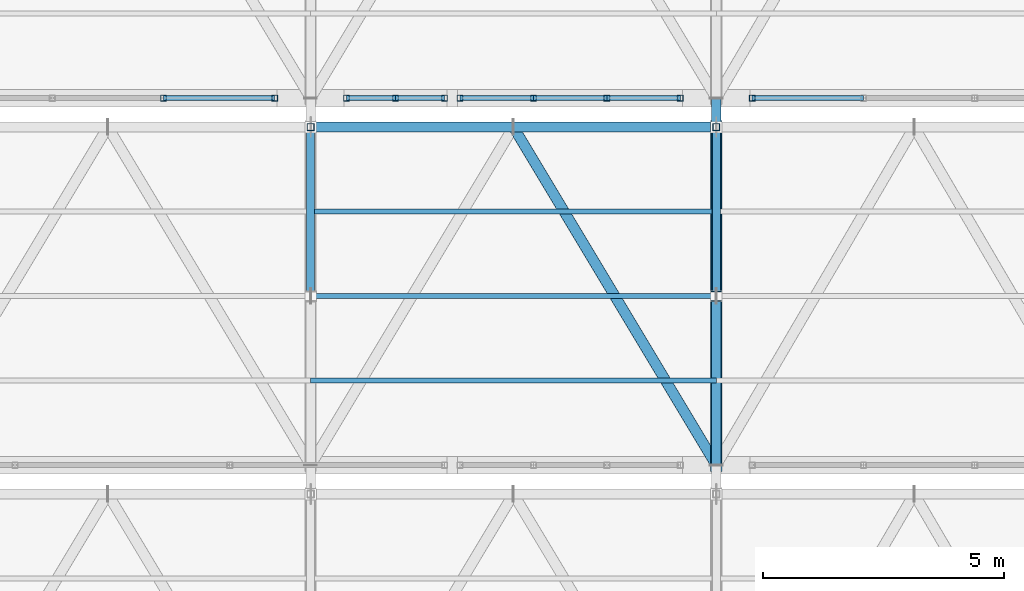
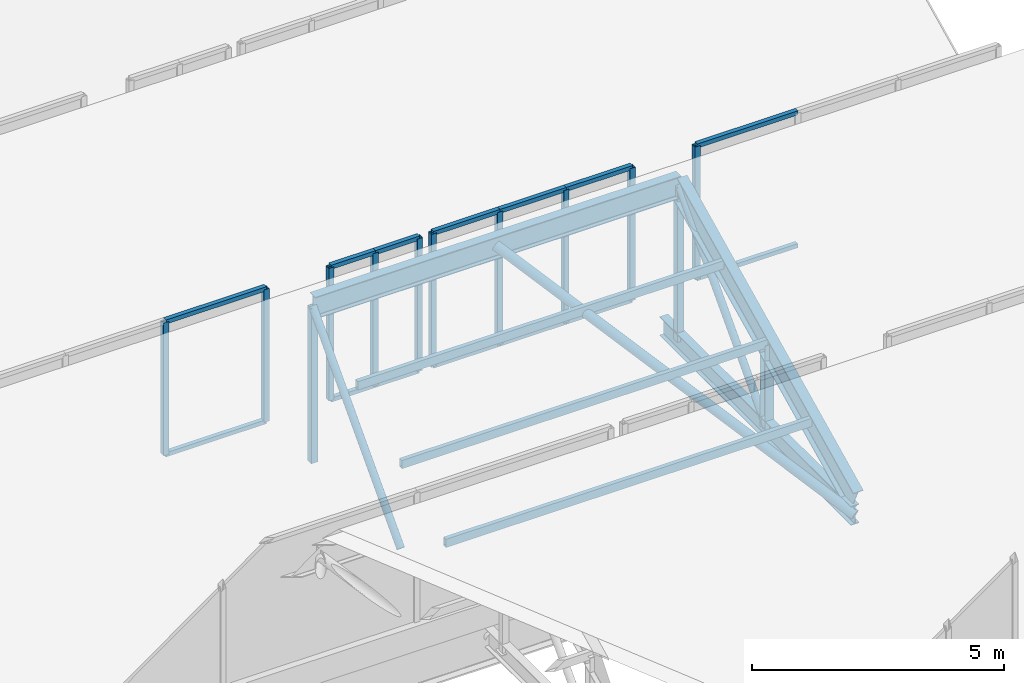
# One storey, part 32 of 57: 36 members, 4 elements without a shape of their own.
"""IFC4 building model written with IfcOpenShell, lengths in metres."""

from ifc_helpers import new_model, si_unit, direction, frame, origin, origin_2d, place, context, subcontext, project, spatial, hollow_rectangle, hollow_circle, i_section, extrude, material, material_profile, profile_set, type_object, element, aggregate, save


model = new_model("IFC4")

# Units and contexts
model_context = context("Model", 3, precision=1e-05, world=origin(), true_north=direction((0.0, 1.0)))
body_context = subcontext(model_context, "Body", "Model", "MODEL_VIEW")
ifc_project = project(units=[si_unit("LENGTHUNIT", "METRE"), si_unit("AREAUNIT", "SQUARE_METRE"), si_unit("VOLUMEUNIT", "CUBIC_METRE"), si_unit("PLANEANGLEUNIT", "RADIAN"), si_unit("MASSUNIT", "GRAM", prefix="KILO")], contexts=[model_context])

# Site, building, storey
site_placement = place(None, origin())
site = spatial("IfcSite", under=ifc_project, at=site_placement, CompositionType="ELEMENT")
building_placement = place(site_placement, origin())
building = spatial("IfcBuilding", under=site, at=building_placement, Name="Zuvorla Pavilion Media Centre", CompositionType="ELEMENT")
storey_placement = place(building_placement, frame((0.0, 0.0, 18.0)))
storey = spatial("IfcBuildingStorey", under=building, at=storey_placement, Name="L04", CompositionType="ELEMENT", Elevation=18.0)

# Curtain wall, members
ifc_material_1 = material(Name="Unitised anodised aluminium and solar glass curtain wall", Category="aluminium")
curtain_wall_type_1 = type_object("IfcCurtainWallType", Name="CW-SYS-92", PredefinedType="USERDEFINED", material=ifc_material_1)
curtain_wall_1_placement = place(storey_placement, origin())
curtain_wall_1 = element("IfcCurtainWall", 1, at=curtain_wall_1_placement, inside=storey, type_object=curtain_wall_type_1, Name="L04 curtain wall CW92 242", ObjectType="CURTAIN WALL", PredefinedType="USERDEFINED")
ifc_material_2 = material(Name="Anodised aluminium 6063-T6", Category="aluminium")
ifc_material_profile_1 = material_profile(ifc_material_2, hollow_rectangle(XDim=0.1201171875, YDim=0.1201171875, WallThickness=0.0048828125, at=origin_2d()), Name="ALU MULL 120x120")
ifc_profile_set_1 = profile_set([ifc_material_profile_1], Name="Anodised aluminium 6063-T6")
member_type_1 = type_object("IfcMemberType", Name="CW-MULL-120", PredefinedType="MULLION", material=ifc_profile_set_1)
member_1_placement = place(storey_placement, frame((139.351806640625, 36.39990234375, 0.0), z_axis=(0.0, 0.0, 1.0), x_axis=(1.0, 0.0, 0.0)))
member_1 = element("IfcMember", 2, at=member_1_placement, type_object=member_type_1, Name="CW92 mullion 3", PredefinedType="MULLION", context=body_context, shape_type="SweptSolid", body=[
    extrude(hollow_rectangle(XDim=0.1201171875, YDim=0.1201171875, WallThickness=0.0048828125, at=origin_2d()), origin(), (0.0, 0.0, 1.0), 3.219970703125),
])
member_2_placement = place(storey_placement, frame((141.65576171875, 36.39990234375, 0.0), z_axis=(0.0, 0.0, 1.0), x_axis=(1.0, 0.0, 0.0)))
member_2 = element("IfcMember", 3, at=member_2_placement, type_object=member_type_1, Name="CW92 mullion 4", PredefinedType="MULLION", context=body_context, shape_type="SweptSolid", body=[
    extrude(hollow_rectangle(XDim=0.1201171875, YDim=0.1201171875, WallThickness=0.0048828125, at=origin_2d()), origin(), (0.0, 0.0, 1.0), 3.219970703125),
])

curtain_wall_type_2 = type_object("IfcCurtainWallType", Name="CW-SYS-93", PredefinedType="USERDEFINED", material=ifc_material_1)
curtain_wall_2_placement = place(storey_placement, origin())
curtain_wall_2 = element("IfcCurtainWall", 4, at=curtain_wall_2_placement, inside=storey, type_object=curtain_wall_type_2, Name="L04 curtain wall CW93 243", ObjectType="CURTAIN WALL", PredefinedType="USERDEFINED")
member_3_placement = place(storey_placement, frame((143.144287109375, 36.39990234375, 0.0), z_axis=(0.0, 0.0, 1.0), x_axis=(1.0, 0.0, 0.0)))
member_3 = element("IfcMember", 5, at=member_3_placement, type_object=member_type_1, Name="CW93 mullion 1", PredefinedType="MULLION", context=body_context, shape_type="SweptSolid", body=[
    extrude(hollow_rectangle(XDim=0.1201171875, YDim=0.1201171875, WallThickness=0.0048828125, at=origin_2d()), origin(), (0.0, 0.0, 1.0), 3.219970703125),
])
member_4_placement = place(storey_placement, frame((144.15869140625, 36.39990234375, 0.0), z_axis=(0.0, 0.0, 1.0), x_axis=(1.0, 0.0, 0.0)))
member_4 = element("IfcMember", 6, at=member_4_placement, type_object=member_type_1, Name="CW93 mullion 2", PredefinedType="MULLION", context=body_context, shape_type="SweptSolid", body=[
    extrude(hollow_rectangle(XDim=0.1201171875, YDim=0.1201171875, WallThickness=0.0048828125, at=origin_2d()), origin(), (0.0, 0.0, 1.0), 3.219970703125),
])
member_5_placement = place(storey_placement, frame((145.17333984375, 36.39990234375, 0.0), z_axis=(0.0, 0.0, 1.0), x_axis=(1.0, 0.0, 0.0)))
member_5 = element("IfcMember", 7, at=member_5_placement, type_object=member_type_1, Name="CW93 mullion 3", PredefinedType="MULLION", context=body_context, shape_type="SweptSolid", body=[
    extrude(hollow_rectangle(XDim=0.1201171875, YDim=0.1201171875, WallThickness=0.0048828125, at=origin_2d()), origin(), (0.0, 0.0, 1.0), 3.219970703125),
])

curtain_wall_type_3 = type_object("IfcCurtainWallType", Name="CW-SYS-94", PredefinedType="USERDEFINED", material=ifc_material_1)
curtain_wall_3_placement = place(storey_placement, origin())
curtain_wall_3 = element("IfcCurtainWall", 8, at=curtain_wall_3_placement, inside=storey, type_object=curtain_wall_type_3, Name="L04 curtain wall CW94 244", ObjectType="CURTAIN WALL", PredefinedType="USERDEFINED")
member_6_placement = place(storey_placement, frame((145.493408203125, 36.39990234375, 0.0), z_axis=(0.0, 0.0, 1.0), x_axis=(1.0, 0.0, 0.0)))
member_6 = element("IfcMember", 9, at=member_6_placement, type_object=member_type_1, Name="CW94 mullion 1", PredefinedType="MULLION", context=body_context, shape_type="SweptSolid", body=[
    extrude(hollow_rectangle(XDim=0.1201171875, YDim=0.1201171875, WallThickness=0.0048828125, at=origin_2d()), origin(), (0.0, 0.0, 1.0), 3.219970703125),
])
member_7_placement = place(storey_placement, frame((147.01416015625, 36.39990234375, 0.0), z_axis=(0.0, 0.0, 1.0), x_axis=(1.0, 0.0, 0.0)))
member_7 = element("IfcMember", 10, at=member_7_placement, type_object=member_type_1, Name="CW94 mullion 2", PredefinedType="MULLION", context=body_context, shape_type="SweptSolid", body=[
    extrude(hollow_rectangle(XDim=0.1201171875, YDim=0.1201171875, WallThickness=0.0048828125, at=origin_2d()), origin(), (0.0, 0.0, 1.0), 3.219970703125),
])
member_8_placement = place(storey_placement, frame((148.534912109375, 36.39990234375, 0.0), z_axis=(0.0, 0.0, 1.0), x_axis=(1.0, 0.0, 0.0)))
member_8 = element("IfcMember", 11, at=member_8_placement, type_object=member_type_1, Name="CW94 mullion 3", PredefinedType="MULLION", context=body_context, shape_type="SweptSolid", body=[
    extrude(hollow_rectangle(XDim=0.1201171875, YDim=0.1201171875, WallThickness=0.0048828125, at=origin_2d()), origin(), (0.0, 0.0, 1.0), 3.219970703125),
])
member_9_placement = place(storey_placement, frame((150.0556640625, 36.39990234375, 0.0), z_axis=(0.0, 0.0, 1.0), x_axis=(1.0, 0.0, 0.0)))
member_9 = element("IfcMember", 12, at=member_9_placement, type_object=member_type_1, Name="CW94 mullion 4", PredefinedType="MULLION", context=body_context, shape_type="SweptSolid", body=[
    extrude(hollow_rectangle(XDim=0.1201171875, YDim=0.1201171875, WallThickness=0.0048828125, at=origin_2d()), origin(), (0.0, 0.0, 1.0), 3.219970703125),
])

# Curtain wall, member
curtain_wall_4_placement = place(storey_placement, origin())
curtain_wall_4 = element("IfcCurtainWall", 13, at=curtain_wall_4_placement, inside=storey, type_object=curtain_wall_type_1, Name="L04 curtain wall CW92 245", ObjectType="CURTAIN WALL", PredefinedType="USERDEFINED")
member_10_placement = place(storey_placement, frame((151.544189453125, 36.39990234375, 0.0), z_axis=(0.0, 0.0, 1.0), x_axis=(1.0, 0.0, 0.0)))
member_10 = element("IfcMember", 14, at=member_10_placement, type_object=member_type_1, Name="CW92 mullion 1", PredefinedType="MULLION", context=body_context, shape_type="SweptSolid", body=[
    extrude(hollow_rectangle(XDim=0.1201171875, YDim=0.1201171875, WallThickness=0.0048828125, at=origin_2d()), origin(), (0.0, 0.0, 1.0), 3.219970703125),
])

# Member
ifc_material_profile_2 = material_profile(ifc_material_2, hollow_rectangle(XDim=0.10009765625, YDim=0.10009765625, WallThickness=0.00439453125, at=origin_2d()), Name="ALU TRAN 100x100")
ifc_profile_set_2 = profile_set([ifc_material_profile_2], Name="Anodised aluminium 6063-T6")
member_type_2 = type_object("IfcMemberType", Name="CW-TRAN-100", PredefinedType="USERDEFINED", material=ifc_profile_set_2)
member_11_placement = place(storey_placement, frame((139.351806640625, 36.39990234375, 0.0), z_axis=(1.0, 0.0, 0.0), x_axis=(0.0, 1.0, 0.0)))
member_11 = element("IfcMember", 15, at=member_11_placement, type_object=member_type_2, Name="CW92 transom 3.1", ObjectType="TRANSOM", PredefinedType="USERDEFINED", context=body_context, shape_type="SweptSolid", body=[
    extrude(hollow_rectangle(XDim=0.10009765625, YDim=0.10009765625, WallThickness=0.00439453125, at=origin_2d()), origin(), (0.0, 0.0, 1.0), 2.303955078125),
])

member_12_placement = place(storey_placement, frame((139.351806640625, 36.39990234375, 3.219970703125), z_axis=(1.0, 0.0, 0.0), x_axis=(0.0, 1.0, 0.0)))
member_12 = element("IfcMember", 16, at=member_12_placement, type_object=member_type_2, Name="CW92 transom 3.2", ObjectType="TRANSOM", PredefinedType="USERDEFINED", context=body_context, shape_type="SweptSolid", body=[
    extrude(hollow_rectangle(XDim=0.10009765625, YDim=0.10009765625, WallThickness=0.00439453125, at=origin_2d()), origin(), (0.0, 0.0, 1.0), 2.303955078125),
])

aggregate(curtain_wall_1, [member_1, member_2, member_11, member_12])

member_13_placement = place(storey_placement, frame((143.144287109375, 36.39990234375, 0.0), z_axis=(1.0, 0.0, 0.0), x_axis=(0.0, 1.0, 0.0)))
member_13 = element("IfcMember", 17, at=member_13_placement, type_object=member_type_2, Name="CW93 transom 1.1", ObjectType="TRANSOM", PredefinedType="USERDEFINED", context=body_context, shape_type="SweptSolid", body=[
    extrude(hollow_rectangle(XDim=0.10009765625, YDim=0.10009765625, WallThickness=0.00439453125, at=origin_2d()), origin(), (0.0, 0.0, 1.0), 1.014404296875),
])

member_14_placement = place(storey_placement, frame((143.144287109375, 36.39990234375, 3.219970703125), z_axis=(1.0, 0.0, 0.0), x_axis=(0.0, 1.0, 0.0)))
member_14 = element("IfcMember", 18, at=member_14_placement, type_object=member_type_2, Name="CW93 transom 1.2", ObjectType="TRANSOM", PredefinedType="USERDEFINED", context=body_context, shape_type="SweptSolid", body=[
    extrude(hollow_rectangle(XDim=0.10009765625, YDim=0.10009765625, WallThickness=0.00439453125, at=origin_2d()), origin(), (0.0, 0.0, 1.0), 1.014404296875),
])

member_15_placement = place(storey_placement, frame((144.15869140625, 36.39990234375, 0.0), z_axis=(1.0, 0.0, 0.0), x_axis=(0.0, 1.0, 0.0)))
member_15 = element("IfcMember", 19, at=member_15_placement, type_object=member_type_2, Name="CW93 transom 2.1", ObjectType="TRANSOM", PredefinedType="USERDEFINED", context=body_context, shape_type="SweptSolid", body=[
    extrude(hollow_rectangle(XDim=0.10009765625, YDim=0.10009765625, WallThickness=0.00439453125, at=origin_2d()), origin(), (0.0, 0.0, 1.0), 1.0146484375),
])

member_16_placement = place(storey_placement, frame((144.15869140625, 36.39990234375, 3.219970703125), z_axis=(1.0, 0.0, 0.0), x_axis=(0.0, 1.0, 0.0)))
member_16 = element("IfcMember", 20, at=member_16_placement, type_object=member_type_2, Name="CW93 transom 2.2", ObjectType="TRANSOM", PredefinedType="USERDEFINED", context=body_context, shape_type="SweptSolid", body=[
    extrude(hollow_rectangle(XDim=0.10009765625, YDim=0.10009765625, WallThickness=0.00439453125, at=origin_2d()), origin(), (0.0, 0.0, 1.0), 1.0146484375),
])

aggregate(curtain_wall_2, [member_3, member_4, member_5, member_13, member_14, member_15, member_16])

member_17_placement = place(storey_placement, frame((145.493408203125, 36.39990234375, 0.0), z_axis=(1.0, 0.0, 0.0), x_axis=(0.0, 1.0, 0.0)))
member_17 = element("IfcMember", 21, at=member_17_placement, type_object=member_type_2, Name="CW94 transom 1.1", ObjectType="TRANSOM", PredefinedType="USERDEFINED", context=body_context, shape_type="SweptSolid", body=[
    extrude(hollow_rectangle(XDim=0.10009765625, YDim=0.10009765625, WallThickness=0.00439453125, at=origin_2d()), origin(), (0.0, 0.0, 1.0), 1.520751953125),
])

member_18_placement = place(storey_placement, frame((145.493408203125, 36.39990234375, 3.219970703125), z_axis=(1.0, 0.0, 0.0), x_axis=(0.0, 1.0, 0.0)))
member_18 = element("IfcMember", 22, at=member_18_placement, type_object=member_type_2, Name="CW94 transom 1.2", ObjectType="TRANSOM", PredefinedType="USERDEFINED", context=body_context, shape_type="SweptSolid", body=[
    extrude(hollow_rectangle(XDim=0.10009765625, YDim=0.10009765625, WallThickness=0.00439453125, at=origin_2d()), origin(), (0.0, 0.0, 1.0), 1.520751953125),
])

member_19_placement = place(storey_placement, frame((147.01416015625, 36.39990234375, 0.0), z_axis=(1.0, 0.0, 0.0), x_axis=(0.0, 1.0, 0.0)))
member_19 = element("IfcMember", 23, at=member_19_placement, type_object=member_type_2, Name="CW94 transom 2.1", ObjectType="TRANSOM", PredefinedType="USERDEFINED", context=body_context, shape_type="SweptSolid", body=[
    extrude(hollow_rectangle(XDim=0.10009765625, YDim=0.10009765625, WallThickness=0.00439453125, at=origin_2d()), origin(), (0.0, 0.0, 1.0), 1.520751953125),
])

member_20_placement = place(storey_placement, frame((147.01416015625, 36.39990234375, 3.219970703125), z_axis=(1.0, 0.0, 0.0), x_axis=(0.0, 1.0, 0.0)))
member_20 = element("IfcMember", 24, at=member_20_placement, type_object=member_type_2, Name="CW94 transom 2.2", ObjectType="TRANSOM", PredefinedType="USERDEFINED", context=body_context, shape_type="SweptSolid", body=[
    extrude(hollow_rectangle(XDim=0.10009765625, YDim=0.10009765625, WallThickness=0.00439453125, at=origin_2d()), origin(), (0.0, 0.0, 1.0), 1.520751953125),
])

member_21_placement = place(storey_placement, frame((148.534912109375, 36.39990234375, 0.0), z_axis=(1.0, 0.0, 0.0), x_axis=(0.0, 1.0, 0.0)))
member_21 = element("IfcMember", 25, at=member_21_placement, type_object=member_type_2, Name="CW94 transom 3.1", ObjectType="TRANSOM", PredefinedType="USERDEFINED", context=body_context, shape_type="SweptSolid", body=[
    extrude(hollow_rectangle(XDim=0.10009765625, YDim=0.10009765625, WallThickness=0.00439453125, at=origin_2d()), origin(), (0.0, 0.0, 1.0), 1.520751953125),
])

member_22_placement = place(storey_placement, frame((148.534912109375, 36.39990234375, 3.219970703125), z_axis=(1.0, 0.0, 0.0), x_axis=(0.0, 1.0, 0.0)))
member_22 = element("IfcMember", 26, at=member_22_placement, type_object=member_type_2, Name="CW94 transom 3.2", ObjectType="TRANSOM", PredefinedType="USERDEFINED", context=body_context, shape_type="SweptSolid", body=[
    extrude(hollow_rectangle(XDim=0.10009765625, YDim=0.10009765625, WallThickness=0.00439453125, at=origin_2d()), origin(), (0.0, 0.0, 1.0), 1.520751953125),
])

aggregate(curtain_wall_3, [member_6, member_7, member_8, member_9, member_17, member_18, member_19, member_20, member_21, member_22])

member_23_placement = place(storey_placement, frame((151.544189453125, 36.39990234375, 0.0), z_axis=(1.0, 0.0, 0.0), x_axis=(0.0, 1.0, 0.0)))
member_23 = element("IfcMember", 27, at=member_23_placement, type_object=member_type_2, Name="CW92 transom 1.1", ObjectType="TRANSOM", PredefinedType="USERDEFINED", context=body_context, shape_type="SweptSolid", body=[
    extrude(hollow_rectangle(XDim=0.10009765625, YDim=0.10009765625, WallThickness=0.00439453125, at=origin_2d()), origin(), (0.0, 0.0, 1.0), 2.303955078125),
])

member_24_placement = place(storey_placement, frame((151.544189453125, 36.39990234375, 3.219970703125), z_axis=(1.0, 0.0, 0.0), x_axis=(0.0, 1.0, 0.0)))
member_24 = element("IfcMember", 28, at=member_24_placement, type_object=member_type_2, Name="CW92 transom 1.2", ObjectType="TRANSOM", PredefinedType="USERDEFINED", context=body_context, shape_type="SweptSolid", body=[
    extrude(hollow_rectangle(XDim=0.10009765625, YDim=0.10009765625, WallThickness=0.00439453125, at=origin_2d()), origin(), (0.0, 0.0, 1.0), 2.303955078125),
])

aggregate(curtain_wall_4, [member_10, member_23, member_24])

# Members
ifc_material_3 = material(Name="Steel S355", Category="steel")
ifc_material_profile_3 = material_profile(ifc_material_3, hollow_circle(Radius=0.084228515625, WallThickness=0.008056640625, at=origin_2d()), Name="CHS 168.3x8")
ifc_profile_set_3 = profile_set([ifc_material_profile_3], Name="Steel S355")
member_type_3 = type_object("IfcMemberType", Name="MEM-BRC-CHS168", PredefinedType="BRACE", material=ifc_profile_set_3)
for number, where, z_axis, x_axis, name in (
    (29, (142.39990234375, 32.300048828125, -0.8798828125), (0.0, 0.681156069412, 0.732138244529), (-1.0, 0.0, 0.0), "L04 diagonal brace TB03 696"),
    (30, (150.800048828125, 32.300048828125, -0.8798828125), (0.0, 0.681156069412, 0.732138244529), (-1.0, 0.0, 0.0), "L04 diagonal brace TB03 701"),
):
    element("IfcMember", number, at=place(storey_placement, frame(where, z_axis=z_axis, x_axis=x_axis)), inside=storey, type_object=member_type_3, Name=name, PredefinedType="BRACE", context=body_context, shape_type="SweptSolid", body=[
        extrude(hollow_circle(Radius=0.084228515625, WallThickness=0.008056640625, at=origin_2d()), origin(), (0.0, 0.0, 1.0), 5.138427734375),
    ])
ifc_material_profile_4 = material_profile(ifc_material_3, hollow_circle(Radius=0.109619140625, WallThickness=0.010009765625, at=origin_2d()), Name="CHS 219.1x10")
ifc_profile_set_4 = profile_set([ifc_material_profile_4], Name="Steel S355")
member_type_4 = type_object("IfcMemberType", Name="MEM-BRC-CHS219", PredefinedType="BRACE", material=ifc_profile_set_4)
member_25_placement = place(storey_placement, frame((146.60009765625, 35.800048828125, 2.882080078125), z_axis=(0.46726169892, -0.778778552081, -0.418533716135), x_axis=(0.857495564561, 0.514491357322, 0.0)))
element("IfcMember", 31, at=member_25_placement, inside=storey, type_object=member_type_4, Name="L04 diagonal brace TB02 728", PredefinedType="BRACE", context=body_context, shape_type="SweptSolid", body=[
    extrude(hollow_circle(Radius=0.109619140625, WallThickness=0.010009765625, at=origin_2d()), origin(), (0.0, 0.0, 1.0), 8.988525390625),
])
ifc_material_profile_5 = material_profile(ifc_material_3, i_section(OverallWidth=0.19140625, OverallDepth=0.4599609375, WebThickness=0.010009765625, FlangeThickness=0.01611328125, FilletRadius=0.01025390625, at=origin_2d()), Name="UB 457x191x82")
ifc_profile_set_5 = profile_set([ifc_material_profile_5], Name="Steel S355")
member_type_5 = type_object("IfcMemberType", Name="MEM-CHD-UB457", PredefinedType="CHORD", material=ifc_profile_set_5)
member_26_placement = place(storey_placement, frame((150.800048828125, 28.800048828125, -0.8798828125), z_axis=(0.0, 1.0, 0.0), x_axis=(-1.0, 0.0, 0.0)))
element("IfcMember", 32, at=member_26_placement, inside=storey, type_object=member_type_5, Name="L04 chord TC03 698", PredefinedType="CHORD", context=body_context, shape_type="SweptSolid", body=[
    extrude(i_section(OverallWidth=0.19140625, OverallDepth=0.4599609375, WebThickness=0.010009765625, FlangeThickness=0.01611328125, FilletRadius=0.01025390625, at=origin_2d()), origin(), (0.0, 0.0, 1.0), 7.599853515625),
])
ifc_material_profile_6 = material_profile(ifc_material_3, i_section(OverallWidth=0.2099609375, OverallDepth=0.53662109375, WebThickness=0.0107421875, FlangeThickness=0.017333984375, FilletRadius=0.0126953125, at=origin_2d()), Name="UB 533x210x101")
ifc_profile_set_6 = profile_set([ifc_material_profile_6], Name="Steel S355")
member_type_6 = type_object("IfcMemberType", Name="MEM-CHD-UB533", PredefinedType="CHORD", material=ifc_profile_set_6)
member_27_placement = place(storey_placement, frame((142.39990234375, 35.800048828125, 2.882080078125), z_axis=(1.0, 0.0, 0.0), x_axis=(0.0, 1.0, 0.0)))
element("IfcMember", 33, at=member_27_placement, inside=storey, type_object=member_type_6, Name="L04 chord TC02 726", PredefinedType="CHORD", context=body_context, shape_type="SweptSolid", body=[
    extrude(i_section(OverallWidth=0.2099609375, OverallDepth=0.53662109375, WebThickness=0.0107421875, FlangeThickness=0.017333984375, FilletRadius=0.0126953125, at=origin_2d()), origin(), (0.0, 0.0, 1.0), 8.400146484375),
])
ifc_material_profile_7 = material_profile(ifc_material_3, i_section(OverallWidth=0.22900390625, OverallDepth=0.6123046875, WebThickness=0.011962890625, FlangeThickness=0.01953125, FilletRadius=0.0126953125, at=origin_2d()), Name="UB 610x229x125")
ifc_profile_set_7 = profile_set([ifc_material_profile_7], Name="Steel S355")
member_type_7 = type_object("IfcMemberType", Name="MEM-CHD-UB610", PredefinedType="CHORD", material=ifc_profile_set_7)
member_28_placement = place(storey_placement, frame((150.800048828125, 28.800048828125, -0.517822265625), z_axis=(0.0, 0.899513090263, 0.436893809117), x_axis=(-1.0, 0.0, 0.0)))
element("IfcMember", 34, at=member_28_placement, inside=storey, type_object=member_type_7, Name="L04 chord TC01 699", PredefinedType="CHORD", context=body_context, shape_type="SweptSolid", body=[
    extrude(i_section(OverallWidth=0.22900390625, OverallDepth=0.6123046875, WebThickness=0.011962890625, FlangeThickness=0.01953125, FilletRadius=0.0126953125, at=origin_2d()), origin(), (0.0, 0.0, 1.0), 7.781982421875),
])
ifc_material_profile_8 = material_profile(ifc_material_3, hollow_rectangle(XDim=0.10009765625, YDim=0.199951171875, WallThickness=0.008056640625, at=origin_2d()), Name="RHS 200x100x8")
ifc_profile_set_8 = profile_set([ifc_material_profile_8], Name="Steel S355")
member_type_8 = type_object("IfcMemberType", Name="MEM-PUR-RHS200", PredefinedType="PURLIN", material=ifc_profile_set_8)
for number, where, z_axis, x_axis, name in (
    (35, (142.39990234375, 30.550048828125, 0.33203125), (1.0, 0.0, 0.0), (0.0, 1.0, 0.0), "L04 purlin PR01 729"),
    (36, (142.39990234375, 32.300048828125, 1.18212890625), (1.0, 0.0, 0.0), (0.0, 1.0, 0.0), "L04 purlin PR01 730"),
    (37, (142.39990234375, 34.050048828125, 2.031982421875), (1.0, 0.0, 0.0), (0.0, 1.0, 0.0), "L04 purlin PR01 731"),
):
    element("IfcMember", number, at=place(storey_placement, frame(where, z_axis=z_axis, x_axis=x_axis)), inside=storey, type_object=member_type_8, Name=name, PredefinedType="PURLIN", context=body_context, shape_type="SweptSolid", body=[
        extrude(hollow_rectangle(XDim=0.10009765625, YDim=0.199951171875, WallThickness=0.008056640625, at=origin_2d()), origin(), (0.0, 0.0, 1.0), 8.400146484375),
    ])
ifc_material_profile_9 = material_profile(ifc_material_3, hollow_rectangle(XDim=0.14990234375, YDim=0.14990234375, WallThickness=0.008056640625, at=origin_2d()), Name="SHS 150x150x8")
ifc_profile_set_9 = profile_set([ifc_material_profile_9], Name="Steel S355")
member_type_9 = type_object("IfcMemberType", Name="MEM-STR-SHS150", PredefinedType="STRUT", material=ifc_profile_set_9)
for number, where, z_axis, x_axis, name in (
    (38, (142.39990234375, 35.800048828125, -0.8798828125), (0.0, 0.0, 1.0), (1.0, 0.0, 0.0), "L04 vertical strut TS01 695"),
    (39, (150.800048828125, 35.800048828125, -0.8798828125), (0.0, 0.0, 1.0), (1.0, 0.0, 0.0), "L04 vertical strut TS01 700"),
):
    element("IfcMember", number, at=place(storey_placement, frame(where, z_axis=z_axis, x_axis=x_axis)), inside=storey, type_object=member_type_9, Name=name, PredefinedType="STRUT", context=body_context, shape_type="SweptSolid", body=[
        extrude(hollow_rectangle(XDim=0.14990234375, YDim=0.14990234375, WallThickness=0.008056640625, at=origin_2d()), origin(), (0.0, 0.0, 1.0), 3.761962890625),
    ])
ifc_material_profile_10 = material_profile(ifc_material_3, i_section(OverallWidth=0.205810546875, OverallDepth=0.209716796875, WebThickness=0.009521484375, FlangeThickness=0.01416015625, FilletRadius=0.01025390625, at=origin_2d()), Name="UC 203x203x60")
ifc_profile_set_10 = profile_set([ifc_material_profile_10], Name="Steel S355")
member_type_10 = type_object("IfcMemberType", Name="MEM-STR-UC203", PredefinedType="STRUT", material=ifc_profile_set_10)
member_29_placement = place(storey_placement, frame((150.800048828125, 32.300048828125, -0.8798828125), z_axis=(0.0, 0.0, 1.0), x_axis=(1.0, 0.0, 0.0)))
element("IfcMember", 40, at=member_29_placement, inside=storey, type_object=member_type_10, Name="L04 vertical strut TS02 702", PredefinedType="STRUT", context=body_context, shape_type="SweptSolid", body=[
    extrude(i_section(OverallWidth=0.205810546875, OverallDepth=0.209716796875, WebThickness=0.009521484375, FlangeThickness=0.01416015625, FilletRadius=0.01025390625, at=origin_2d()), origin(), (0.0, 0.0, 1.0), 2.06201171875),
])

save(model, "model.ifc")
